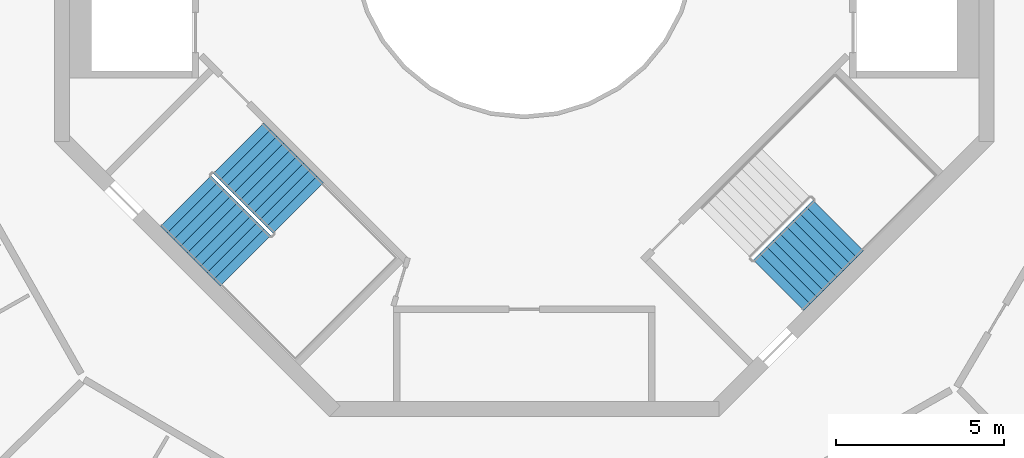
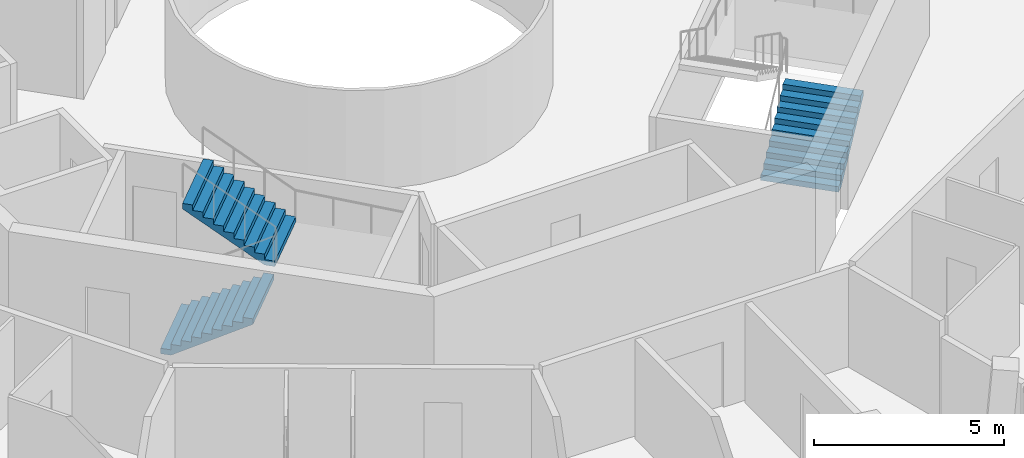
# One storey, part 22 of 24: 3 stair flights, 2 elements without a shape of their own.
"""IFC4 building model written with IfcOpenShell, lengths in metres."""

from ifc_helpers import new_model, si_unit, direction, frame, origin, place, context, subcontext, project, spatial, triangles, material, type_object, element, aggregate, save


model = new_model("IFC4")

# Units and contexts
model_context = context("Model", 3, precision=1e-05, world=origin(), true_north=direction((0.0, 1.0)))
body_context = subcontext(model_context, "Body", "Model", "MODEL_VIEW")
ifc_project = project(units=[si_unit("LENGTHUNIT", "METRE"), si_unit("AREAUNIT", "SQUARE_METRE"), si_unit("VOLUMEUNIT", "CUBIC_METRE"), si_unit("PLANEANGLEUNIT", "RADIAN"), si_unit("MASSUNIT", "GRAM", prefix="KILO")], contexts=[model_context])

# Site, building, storey
site_placement = place(None, origin())
site = spatial("IfcSite", under=ifc_project, at=site_placement, CompositionType="ELEMENT")
building_placement = place(site_placement, origin())
building = spatial("IfcBuilding", under=site, at=building_placement, Name="Verdalira Terraces Hotel", CompositionType="ELEMENT")
storey_placement = place(building_placement, frame((0.0, 0.0, 277.5)))
storey = spatial("IfcBuildingStorey", under=building, at=storey_placement, Name="L68", CompositionType="ELEMENT", Elevation=277.5)

# Stair, stair flights
ifc_material_1 = material(Name="Concrete C40", Category="concrete")
stair_type = type_object("IfcStairType", Name="Core stair 20 risers 2125 mm wide", PredefinedType="HALF_TURN_STAIR", material=ifc_material_1)
stair_1_placement = place(storey_placement, origin())
stair_1 = element("IfcStair", 1, at=stair_1_placement, inside=storey, type_object=stair_type, Name="L68 Exit stair ST2", PredefinedType="HALF_TURN_STAIR")
ifc_material_2 = material(Name="Concrete C40", Category="concrete")
stair_flight_type = type_object("IfcStairFlightType", Name="Core stair flight 20 risers 2125 mm wide", PredefinedType="STRAIGHT", material=ifc_material_2)
stair_flight_1_placement = place(storey_placement, frame((-10.085205, -7.574951, 0.0), z_axis=(0.0, 0.0, 1.0), x_axis=(0.707106781, -0.707106781, 0.0)))
stair_flight_1 = element("IfcStairFlight", 2, at=stair_flight_1_placement, type_object=stair_flight_type, Name="ST2 flight 1", NumberOfRisers=10, NumberOfTreads=9, PredefinedType="STRAIGHT", RiserHeight=0.175, TreadLength=0.28, context=body_context, shape_type="Tessellation", body=[
    triangles([(0.0, 1.0625, 0.0), (0.282715, 1.0625, 0.0), (2.52002, 1.0625, 1.398193), (0.0, -1.0625, 0.0), (0.282715, -1.0625, 0.0), (2.52002, -1.0625, 1.398193), (2.52002, 1.0625, 1.574951), (2.23999, 1.0625, 1.574951), (2.52002, -1.0625, 1.574951), (2.23999, -1.0625, 1.574951), (2.23999, 1.0625, 1.399902), (2.23999, -1.0625, 1.399902), (1.959961, 1.0625, 1.399902), (1.959961, -1.0625, 1.399902), (1.959961, 1.0625, 1.225098), (1.959961, -1.0625, 1.225098), (1.679932, 1.0625, 1.225098), (1.679932, 1.0625, 1.050049), (1.679932, -1.0625, 1.225098), (1.679932, -1.0625, 1.050049), (1.399902, 1.0625, 1.050049), (1.399902, 1.0625, 0.875), (1.399902, -1.0625, 1.050049), (1.399902, -1.0625, 0.875), (1.120117, 1.0625, 0.875), (1.120117, 1.0625, 0.699951), (1.120117, -1.0625, 0.875), (1.120117, -1.0625, 0.699951), (0.840088, 1.0625, 0.699951), (0.840088, 1.0625, 0.524902), (0.840088, -1.0625, 0.699951), (0.840088, -1.0625, 0.524902), (0.560059, 1.0625, 0.524902), (0.560059, 1.0625, 0.350098), (0.560059, -1.0625, 0.524902), (0.560059, -1.0625, 0.350098), (0.280029, 1.0625, 0.350098), (0.280029, 1.0625, 0.175049), (0.280029, -1.0625, 0.350098), (0.280029, -1.0625, 0.175049), (0.0, 1.0625, 0.175049), (0.0, -1.0625, 0.175049), (0.0, -0.996094, 0.0), (0.0, -0.996094, 0.175049), (0.0, -0.929688, 0.0), (0.0, -0.929688, 0.175049), (0.0, -0.863281, 0.0), (0.0, -0.863281, 0.175049), (0.0, -0.796875, 0.0), (0.0, -0.796875, 0.175049), (0.0, -0.730469, 0.0), (0.0, -0.730469, 0.175049), (0.0, -0.664062, 0.0), (0.0, -0.664062, 0.175049), (0.0, -0.597656, 0.0), (0.0, -0.597656, 0.175049), (0.0, -0.53125, 0.0), (0.0, -0.53125, 0.175049), (0.0, -0.464844, 0.0), (0.0, -0.464844, 0.175049), (0.0, -0.398438, 0.0), (0.0, -0.398438, 0.175049), (0.0, -0.332031, 0.0), (0.0, -0.332031, 0.175049), (0.0, -0.265625, 0.0), (0.0, -0.265625, 0.175049), (0.0, -0.199219, 0.0), (0.0, -0.199219, 0.175049), (0.0, -0.132812, 0.0), (0.0, -0.132812, 0.175049), (0.0, -0.066406, 0.0), (0.0, -0.066406, 0.175049), (0.0, 0.0, 0.0), (0.0, 0.0, 0.175049), (0.0, 0.066406, 0.0), (0.0, 0.066406, 0.175049), (0.0, 0.132812, 0.0), (0.0, 0.132812, 0.175049), (0.0, 0.199219, 0.0), (0.0, 0.199219, 0.175049), (0.0, 0.265625, 0.0), (0.0, 0.265625, 0.175049), (0.0, 0.332031, 0.0), (0.0, 0.332031, 0.175049), (0.0, 0.398438, 0.0), (0.0, 0.398438, 0.175049), (0.0, 0.464844, 0.0), (0.0, 0.464844, 0.175049), (0.0, 0.53125, 0.0), (0.0, 0.53125, 0.175049), (0.0, 0.597656, 0.0), (0.0, 0.597656, 0.175049), (0.0, 0.664062, 0.0), (0.0, 0.664062, 0.175049), (0.0, 0.730469, 0.0), (0.0, 0.730469, 0.175049), (0.0, 0.796875, 0.0), (0.0, 0.796875, 0.175049), (0.0, 0.863281, 0.0), (0.0, 0.863281, 0.175049), (0.0, 0.929688, 0.0), (0.0, 0.929688, 0.175049), (0.0, 0.996094, 0.0), (0.0, 0.996094, 0.175049), (2.52002, -0.996094, 1.574951), (2.52002, -0.929688, 1.574951), (2.52002, -0.863281, 1.574951), (2.52002, -0.796875, 1.574951), (2.52002, -0.730469, 1.574951), (2.52002, -0.664062, 1.574951), (2.52002, -0.597656, 1.574951), (2.52002, -0.53125, 1.574951), (2.52002, -0.464844, 1.574951), (2.52002, -0.398438, 1.574951), (2.52002, -0.332031, 1.574951), (2.52002, -0.265625, 1.574951), (2.52002, -0.199219, 1.574951), (2.52002, -0.132812, 1.574951), (2.52002, -0.066406, 1.574951), (2.52002, 0.0, 1.574951), (2.52002, 0.066406, 1.574951), (2.52002, 0.132812, 1.574951), (2.52002, 0.199219, 1.574951), (2.52002, 0.265625, 1.574951), (2.52002, 0.332031, 1.574951), (2.52002, 0.398438, 1.574951), (2.52002, 0.464844, 1.574951), (2.52002, 0.53125, 1.574951), (2.52002, 0.597656, 1.574951), (2.52002, 0.664062, 1.574951), (2.52002, 0.730469, 1.574951), (2.52002, 0.796875, 1.574951), (2.52002, 0.863281, 1.574951), (2.52002, 0.929688, 1.574951), (2.52002, 0.996094, 1.574951), (2.52002, -0.996094, 1.398193), (2.52002, -0.929688, 1.398193), (2.52002, -0.863281, 1.398193), (2.52002, -0.796875, 1.398193), (2.52002, -0.730469, 1.398193), (2.52002, -0.664062, 1.398193), (2.52002, -0.597656, 1.398193), (2.52002, -0.53125, 1.398193), (2.52002, -0.464844, 1.398193), (2.52002, -0.398438, 1.398193), (2.52002, -0.332031, 1.398193), (2.52002, -0.265625, 1.398193), (2.52002, -0.199219, 1.398193), (2.52002, -0.132812, 1.398193), (2.52002, -0.066406, 1.398193), (2.52002, 0.0, 1.398193), (2.52002, 0.066406, 1.398193), (2.52002, 0.132812, 1.398193), (2.52002, 0.199219, 1.398193), (2.52002, 0.265625, 1.398193), (2.52002, 0.332031, 1.398193), (2.52002, 0.398438, 1.398193), (2.52002, 0.464844, 1.398193), (2.52002, 0.53125, 1.398193), (2.52002, 0.597656, 1.398193), (2.52002, 0.664062, 1.398193), (2.52002, 0.730469, 1.398193), (2.52002, 0.796875, 1.398193), (2.52002, 0.863281, 1.398193), (2.52002, 0.929688, 1.398193), (2.52002, 0.996094, 1.398193)], [[1, 3, 2], [4, 5, 6], [3, 8, 7], [6, 9, 10], [3, 11, 8], [6, 10, 12], [3, 13, 11], [6, 12, 14], [3, 15, 13], [6, 14, 16], [15, 18, 17], [16, 19, 20], [3, 18, 15], [6, 16, 20], [18, 22, 21], [20, 23, 24], [3, 22, 18], [6, 20, 24], [22, 26, 25], [24, 27, 28], [3, 26, 22], [6, 24, 28], [26, 30, 29], [28, 31, 32], [3, 30, 26], [6, 28, 32], [1, 30, 3], [4, 6, 32], [30, 34, 33], [32, 35, 36], [34, 38, 37], [36, 39, 40], [30, 38, 34], [32, 36, 40], [1, 38, 30], [4, 32, 40], [38, 1, 41], [40, 42, 4], [4, 44, 43], [4, 42, 44], [43, 46, 45], [43, 44, 46], [45, 48, 47], [45, 46, 48], [47, 50, 49], [47, 48, 50], [49, 52, 51], [49, 50, 52], [51, 54, 53], [51, 52, 54], [53, 56, 55], [53, 54, 56], [55, 58, 57], [55, 56, 58], [57, 60, 59], [57, 58, 60], [59, 62, 61], [59, 60, 62], [61, 64, 63], [61, 62, 64], [63, 66, 65], [63, 64, 66], [65, 68, 67], [65, 66, 68], [67, 70, 69], [67, 68, 70], [69, 72, 71], [69, 70, 72], [71, 74, 73], [71, 72, 74], [73, 76, 75], [73, 74, 76], [75, 78, 77], [75, 76, 78], [77, 80, 79], [77, 78, 80], [79, 82, 81], [79, 80, 82], [81, 84, 83], [81, 82, 84], [83, 86, 85], [83, 84, 86], [85, 88, 87], [85, 86, 88], [87, 90, 89], [87, 88, 90], [89, 92, 91], [89, 90, 92], [91, 94, 93], [91, 92, 94], [93, 96, 95], [93, 94, 96], [95, 98, 97], [95, 96, 98], [97, 100, 99], [97, 98, 100], [99, 102, 101], [99, 100, 102], [101, 104, 103], [101, 102, 104], [103, 41, 1], [103, 104, 41], [42, 40, 44], [44, 40, 46], [46, 40, 48], [48, 40, 50], [50, 40, 52], [52, 40, 54], [54, 40, 56], [56, 40, 58], [58, 40, 60], [60, 40, 62], [62, 40, 64], [64, 40, 66], [66, 40, 68], [68, 40, 70], [70, 40, 72], [72, 40, 74], [74, 40, 76], [76, 40, 78], [78, 40, 80], [80, 40, 82], [82, 40, 84], [84, 40, 86], [86, 40, 88], [88, 40, 90], [90, 40, 92], [92, 40, 94], [94, 40, 96], [96, 40, 98], [98, 40, 100], [100, 40, 102], [102, 40, 104], [104, 40, 41], [41, 40, 38], [40, 37, 38], [40, 39, 37], [39, 34, 37], [39, 36, 34], [36, 33, 34], [36, 35, 33], [35, 30, 33], [35, 32, 30], [32, 29, 30], [32, 31, 29], [31, 26, 29], [31, 28, 26], [28, 25, 26], [28, 27, 25], [27, 22, 25], [27, 24, 22], [24, 21, 22], [24, 23, 21], [23, 18, 21], [23, 20, 18], [20, 17, 18], [20, 19, 17], [19, 15, 17], [19, 16, 15], [16, 13, 15], [16, 14, 13], [14, 11, 13], [14, 12, 11], [12, 8, 11], [12, 10, 8], [9, 105, 10], [105, 106, 10], [106, 107, 10], [107, 108, 10], [108, 109, 10], [109, 110, 10], [110, 111, 10], [111, 112, 10], [112, 113, 10], [113, 114, 10], [114, 115, 10], [115, 116, 10], [116, 117, 10], [117, 118, 10], [118, 119, 10], [119, 120, 10], [120, 121, 10], [121, 122, 10], [122, 123, 10], [123, 124, 10], [124, 125, 10], [125, 126, 10], [126, 127, 10], [127, 128, 10], [128, 129, 10], [129, 130, 10], [130, 131, 10], [131, 132, 10], [132, 133, 10], [133, 134, 10], [134, 135, 10], [135, 7, 10], [7, 8, 10], [9, 136, 105], [9, 6, 136], [105, 137, 106], [105, 136, 137], [106, 138, 107], [106, 137, 138], [107, 139, 108], [107, 138, 139], [108, 140, 109], [108, 139, 140], [109, 141, 110], [109, 140, 141], [110, 142, 111], [110, 141, 142], [111, 143, 112], [111, 142, 143], [112, 144, 113], [112, 143, 144], [113, 145, 114], [113, 144, 145], [114, 146, 115], [114, 145, 146], [115, 147, 116], [115, 146, 147], [116, 148, 117], [116, 147, 148], [117, 149, 118], [117, 148, 149], [118, 150, 119], [118, 149, 150], [119, 151, 120], [119, 150, 151], [120, 152, 121], [120, 151, 152], [121, 153, 122], [121, 152, 153], [122, 154, 123], [122, 153, 154], [123, 155, 124], [123, 154, 155], [124, 156, 125], [124, 155, 156], [125, 157, 126], [125, 156, 157], [126, 158, 127], [126, 157, 158], [127, 159, 128], [127, 158, 159], [128, 160, 129], [128, 159, 160], [129, 161, 130], [129, 160, 161], [130, 162, 131], [130, 161, 162], [131, 163, 132], [131, 162, 163], [132, 164, 133], [132, 163, 164], [133, 165, 134], [133, 164, 165], [134, 166, 135], [134, 165, 166], [135, 3, 7], [135, 166, 3], [6, 5, 136], [136, 5, 137], [137, 5, 138], [138, 5, 139], [139, 5, 140], [140, 5, 141], [141, 5, 142], [142, 5, 143], [143, 5, 144], [144, 5, 145], [145, 5, 146], [146, 5, 147], [147, 5, 148], [148, 5, 149], [149, 5, 150], [150, 5, 151], [151, 5, 152], [152, 5, 153], [153, 5, 154], [154, 5, 155], [155, 5, 156], [156, 5, 157], [157, 5, 158], [158, 5, 159], [159, 5, 160], [160, 5, 161], [161, 5, 162], [162, 5, 163], [163, 5, 164], [164, 5, 165], [165, 5, 166], [166, 5, 3], [3, 5, 2], [4, 43, 5], [43, 45, 5], [45, 47, 5], [47, 49, 5], [49, 51, 5], [51, 53, 5], [53, 55, 5], [55, 57, 5], [57, 59, 5], [59, 61, 5], [61, 63, 5], [63, 65, 5], [65, 67, 5], [67, 69, 5], [69, 71, 5], [71, 73, 5], [73, 75, 5], [75, 77, 5], [77, 79, 5], [79, 81, 5], [81, 83, 5], [83, 85, 5], [85, 87, 5], [87, 89, 5], [89, 91, 5], [91, 93, 5], [93, 95, 5], [95, 97, 5], [97, 99, 5], [99, 101, 5], [101, 103, 5], [103, 1, 5], [1, 2, 5]], closed=True),
])
stair_flight_2_placement = place(storey_placement, frame((-6.72998, -7.783447, 1.75), z_axis=(0.0, 0.0, 1.0), x_axis=(-0.707106781, 0.707106781, 0.0)))
stair_flight_2 = element("IfcStairFlight", 3, at=stair_flight_2_placement, type_object=stair_flight_type, Name="ST2 flight 2", NumberOfRisers=10, NumberOfTreads=9, PredefinedType="STRAIGHT", RiserHeight=0.175, TreadLength=0.28, context=body_context, shape_type="Tessellation", body=[
    triangles([(0.0, 1.0625, 0.0), (0.282715, 1.0625, 0.0), (2.52002, 1.0625, 1.398193), (0.0, -1.0625, 0.0), (0.282715, -1.0625, 0.0), (2.52002, -1.0625, 1.398193), (2.52002, 1.0625, 1.574951), (2.23999, 1.0625, 1.574951), (2.52002, -1.0625, 1.574951), (2.23999, -1.0625, 1.574951), (2.23999, 1.0625, 1.399902), (2.23999, -1.0625, 1.399902), (1.959961, 1.0625, 1.399902), (1.959961, -1.0625, 1.399902), (1.959961, 1.0625, 1.225098), (1.959961, -1.0625, 1.225098), (1.679932, 1.0625, 1.225098), (1.679932, 1.0625, 1.050049), (1.679932, -1.0625, 1.225098), (1.679932, -1.0625, 1.050049), (1.399902, 1.0625, 1.050049), (1.399902, 1.0625, 0.875), (1.399902, -1.0625, 1.050049), (1.399902, -1.0625, 0.875), (1.120117, 1.0625, 0.875), (1.120117, 1.0625, 0.699951), (1.120117, -1.0625, 0.875), (1.120117, -1.0625, 0.699951), (0.840088, 1.0625, 0.699951), (0.840088, 1.0625, 0.524902), (0.840088, -1.0625, 0.699951), (0.840088, -1.0625, 0.524902), (0.560059, 1.0625, 0.524902), (0.560059, 1.0625, 0.350098), (0.560059, -1.0625, 0.524902), (0.560059, -1.0625, 0.350098), (0.280029, 1.0625, 0.350098), (0.280029, 1.0625, 0.175049), (0.280029, -1.0625, 0.350098), (0.280029, -1.0625, 0.175049), (0.0, 1.0625, 0.175049), (0.0, -1.0625, 0.175049), (0.0, -0.996094, 0.0), (0.0, -0.996094, 0.175049), (0.0, -0.929688, 0.0), (0.0, -0.929688, 0.175049), (0.0, -0.863281, 0.0), (0.0, -0.863281, 0.175049), (0.0, -0.796875, 0.0), (0.0, -0.796875, 0.175049), (0.0, -0.730469, 0.0), (0.0, -0.730469, 0.175049), (0.0, -0.664062, 0.0), (0.0, -0.664062, 0.175049), (0.0, -0.597656, 0.0), (0.0, -0.597656, 0.175049), (0.0, -0.53125, 0.0), (0.0, -0.53125, 0.175049), (0.0, -0.464844, 0.0), (0.0, -0.464844, 0.175049), (0.0, -0.398438, 0.0), (0.0, -0.398438, 0.175049), (0.0, -0.332031, 0.0), (0.0, -0.332031, 0.175049), (0.0, -0.265625, 0.0), (0.0, -0.265625, 0.175049), (0.0, -0.199219, 0.0), (0.0, -0.199219, 0.175049), (0.0, -0.132812, 0.0), (0.0, -0.132812, 0.175049), (0.0, -0.066406, 0.0), (0.0, -0.066406, 0.175049), (0.0, 0.0, 0.0), (0.0, 0.0, 0.175049), (0.0, 0.066406, 0.0), (0.0, 0.066406, 0.175049), (0.0, 0.132812, 0.0), (0.0, 0.132812, 0.175049), (0.0, 0.199219, 0.0), (0.0, 0.199219, 0.175049), (0.0, 0.265625, 0.0), (0.0, 0.265625, 0.175049), (0.0, 0.332031, 0.0), (0.0, 0.332031, 0.175049), (0.0, 0.398438, 0.0), (0.0, 0.398438, 0.175049), (0.0, 0.464844, 0.0), (0.0, 0.464844, 0.175049), (0.0, 0.53125, 0.0), (0.0, 0.53125, 0.175049), (0.0, 0.597656, 0.0), (0.0, 0.597656, 0.175049), (0.0, 0.664062, 0.0), (0.0, 0.664062, 0.175049), (0.0, 0.730469, 0.0), (0.0, 0.730469, 0.175049), (0.0, 0.796875, 0.0), (0.0, 0.796875, 0.175049), (0.0, 0.863281, 0.0), (0.0, 0.863281, 0.175049), (0.0, 0.929688, 0.0), (0.0, 0.929688, 0.175049), (0.0, 0.996094, 0.0), (0.0, 0.996094, 0.175049), (2.52002, -0.996094, 1.574951), (2.52002, -0.929688, 1.574951), (2.52002, -0.863281, 1.574951), (2.52002, -0.796875, 1.574951), (2.52002, -0.730469, 1.574951), (2.52002, -0.664062, 1.574951), (2.52002, -0.597656, 1.574951), (2.52002, -0.53125, 1.574951), (2.52002, -0.464844, 1.574951), (2.52002, -0.398438, 1.574951), (2.52002, -0.332031, 1.574951), (2.52002, -0.265625, 1.574951), (2.52002, -0.199219, 1.574951), (2.52002, -0.132812, 1.574951), (2.52002, -0.066406, 1.574951), (2.52002, 0.0, 1.574951), (2.52002, 0.066406, 1.574951), (2.52002, 0.132812, 1.574951), (2.52002, 0.199219, 1.574951), (2.52002, 0.265625, 1.574951), (2.52002, 0.332031, 1.574951), (2.52002, 0.398438, 1.574951), (2.52002, 0.464844, 1.574951), (2.52002, 0.53125, 1.574951), (2.52002, 0.597656, 1.574951), (2.52002, 0.664062, 1.574951), (2.52002, 0.730469, 1.574951), (2.52002, 0.796875, 1.574951), (2.52002, 0.863281, 1.574951), (2.52002, 0.929688, 1.574951), (2.52002, 0.996094, 1.574951), (2.52002, -0.996094, 1.398193), (2.52002, -0.929688, 1.398193), (2.52002, -0.863281, 1.398193), (2.52002, -0.796875, 1.398193), (2.52002, -0.730469, 1.398193), (2.52002, -0.664062, 1.398193), (2.52002, -0.597656, 1.398193), (2.52002, -0.53125, 1.398193), (2.52002, -0.464844, 1.398193), (2.52002, -0.398438, 1.398193), (2.52002, -0.332031, 1.398193), (2.52002, -0.265625, 1.398193), (2.52002, -0.199219, 1.398193), (2.52002, -0.132812, 1.398193), (2.52002, -0.066406, 1.398193), (2.52002, 0.0, 1.398193), (2.52002, 0.066406, 1.398193), (2.52002, 0.132812, 1.398193), (2.52002, 0.199219, 1.398193), (2.52002, 0.265625, 1.398193), (2.52002, 0.332031, 1.398193), (2.52002, 0.398438, 1.398193), (2.52002, 0.464844, 1.398193), (2.52002, 0.53125, 1.398193), (2.52002, 0.597656, 1.398193), (2.52002, 0.664062, 1.398193), (2.52002, 0.730469, 1.398193), (2.52002, 0.796875, 1.398193), (2.52002, 0.863281, 1.398193), (2.52002, 0.929688, 1.398193), (2.52002, 0.996094, 1.398193)], [[1, 3, 2], [4, 5, 6], [3, 8, 7], [6, 9, 10], [3, 11, 8], [6, 10, 12], [3, 13, 11], [6, 12, 14], [3, 15, 13], [6, 14, 16], [15, 18, 17], [16, 19, 20], [3, 18, 15], [6, 16, 20], [18, 22, 21], [20, 23, 24], [3, 22, 18], [6, 20, 24], [22, 26, 25], [24, 27, 28], [3, 26, 22], [6, 24, 28], [26, 30, 29], [28, 31, 32], [3, 30, 26], [6, 28, 32], [1, 30, 3], [4, 6, 32], [30, 34, 33], [32, 35, 36], [34, 38, 37], [36, 39, 40], [30, 38, 34], [32, 36, 40], [1, 38, 30], [4, 32, 40], [38, 1, 41], [40, 42, 4], [4, 44, 43], [4, 42, 44], [43, 46, 45], [43, 44, 46], [45, 48, 47], [45, 46, 48], [47, 50, 49], [47, 48, 50], [49, 52, 51], [49, 50, 52], [51, 54, 53], [51, 52, 54], [53, 56, 55], [53, 54, 56], [55, 58, 57], [55, 56, 58], [57, 60, 59], [57, 58, 60], [59, 62, 61], [59, 60, 62], [61, 64, 63], [61, 62, 64], [63, 66, 65], [63, 64, 66], [65, 68, 67], [65, 66, 68], [67, 70, 69], [67, 68, 70], [69, 72, 71], [69, 70, 72], [71, 74, 73], [71, 72, 74], [73, 76, 75], [73, 74, 76], [75, 78, 77], [75, 76, 78], [77, 80, 79], [77, 78, 80], [79, 82, 81], [79, 80, 82], [81, 84, 83], [81, 82, 84], [83, 86, 85], [83, 84, 86], [85, 88, 87], [85, 86, 88], [87, 90, 89], [87, 88, 90], [89, 92, 91], [89, 90, 92], [91, 94, 93], [91, 92, 94], [93, 96, 95], [93, 94, 96], [95, 98, 97], [95, 96, 98], [97, 100, 99], [97, 98, 100], [99, 102, 101], [99, 100, 102], [101, 104, 103], [101, 102, 104], [103, 41, 1], [103, 104, 41], [42, 40, 44], [44, 40, 46], [46, 40, 48], [48, 40, 50], [50, 40, 52], [52, 40, 54], [54, 40, 56], [56, 40, 58], [58, 40, 60], [60, 40, 62], [62, 40, 64], [64, 40, 66], [66, 40, 68], [68, 40, 70], [70, 40, 72], [72, 40, 74], [74, 40, 76], [76, 40, 78], [78, 40, 80], [80, 40, 82], [82, 40, 84], [84, 40, 86], [86, 40, 88], [88, 40, 90], [90, 40, 92], [92, 40, 94], [94, 40, 96], [96, 40, 98], [98, 40, 100], [100, 40, 102], [102, 40, 104], [104, 40, 41], [41, 40, 38], [40, 37, 38], [40, 39, 37], [39, 34, 37], [39, 36, 34], [36, 33, 34], [36, 35, 33], [35, 30, 33], [35, 32, 30], [32, 29, 30], [32, 31, 29], [31, 26, 29], [31, 28, 26], [28, 25, 26], [28, 27, 25], [27, 22, 25], [27, 24, 22], [24, 21, 22], [24, 23, 21], [23, 18, 21], [23, 20, 18], [20, 17, 18], [20, 19, 17], [19, 15, 17], [19, 16, 15], [16, 13, 15], [16, 14, 13], [14, 11, 13], [14, 12, 11], [12, 8, 11], [12, 10, 8], [9, 105, 10], [105, 106, 10], [106, 107, 10], [107, 108, 10], [108, 109, 10], [109, 110, 10], [110, 111, 10], [111, 112, 10], [112, 113, 10], [113, 114, 10], [114, 115, 10], [115, 116, 10], [116, 117, 10], [117, 118, 10], [118, 119, 10], [119, 120, 10], [120, 121, 10], [121, 122, 10], [122, 123, 10], [123, 124, 10], [124, 125, 10], [125, 126, 10], [126, 127, 10], [127, 128, 10], [128, 129, 10], [129, 130, 10], [130, 131, 10], [131, 132, 10], [132, 133, 10], [133, 134, 10], [134, 135, 10], [135, 7, 10], [7, 8, 10], [9, 136, 105], [9, 6, 136], [105, 137, 106], [105, 136, 137], [106, 138, 107], [106, 137, 138], [107, 139, 108], [107, 138, 139], [108, 140, 109], [108, 139, 140], [109, 141, 110], [109, 140, 141], [110, 142, 111], [110, 141, 142], [111, 143, 112], [111, 142, 143], [112, 144, 113], [112, 143, 144], [113, 145, 114], [113, 144, 145], [114, 146, 115], [114, 145, 146], [115, 147, 116], [115, 146, 147], [116, 148, 117], [116, 147, 148], [117, 149, 118], [117, 148, 149], [118, 150, 119], [118, 149, 150], [119, 151, 120], [119, 150, 151], [120, 152, 121], [120, 151, 152], [121, 153, 122], [121, 152, 153], [122, 154, 123], [122, 153, 154], [123, 155, 124], [123, 154, 155], [124, 156, 125], [124, 155, 156], [125, 157, 126], [125, 156, 157], [126, 158, 127], [126, 157, 158], [127, 159, 128], [127, 158, 159], [128, 160, 129], [128, 159, 160], [129, 161, 130], [129, 160, 161], [130, 162, 131], [130, 161, 162], [131, 163, 132], [131, 162, 163], [132, 164, 133], [132, 163, 164], [133, 165, 134], [133, 164, 165], [134, 166, 135], [134, 165, 166], [135, 3, 7], [135, 166, 3], [6, 5, 136], [136, 5, 137], [137, 5, 138], [138, 5, 139], [139, 5, 140], [140, 5, 141], [141, 5, 142], [142, 5, 143], [143, 5, 144], [144, 5, 145], [145, 5, 146], [146, 5, 147], [147, 5, 148], [148, 5, 149], [149, 5, 150], [150, 5, 151], [151, 5, 152], [152, 5, 153], [153, 5, 154], [154, 5, 155], [155, 5, 156], [156, 5, 157], [157, 5, 158], [158, 5, 159], [159, 5, 160], [160, 5, 161], [161, 5, 162], [162, 5, 163], [163, 5, 164], [164, 5, 165], [165, 5, 166], [166, 5, 3], [3, 5, 2], [4, 43, 5], [43, 45, 5], [45, 47, 5], [47, 49, 5], [49, 51, 5], [51, 53, 5], [53, 55, 5], [55, 57, 5], [57, 59, 5], [59, 61, 5], [61, 63, 5], [63, 65, 5], [65, 67, 5], [67, 69, 5], [69, 71, 5], [71, 73, 5], [73, 75, 5], [75, 77, 5], [77, 79, 5], [79, 81, 5], [81, 83, 5], [83, 85, 5], [85, 87, 5], [87, 89, 5], [89, 91, 5], [91, 93, 5], [93, 95, 5], [95, 97, 5], [97, 99, 5], [99, 101, 5], [101, 103, 5], [103, 1, 5], [1, 2, 5]], closed=True),
])
aggregate(stair_1, [stair_flight_1, stair_flight_2])

# Stair, stair flight
stair_2_placement = place(storey_placement, origin())
stair_2 = element("IfcStair", 4, at=stair_2_placement, inside=storey, type_object=stair_type, Name="L68 Exit stair ST3", PredefinedType="HALF_TURN_STAIR")
stair_flight_3_placement = place(storey_placement, frame((7.574951, -10.085205, 0.0), z_axis=(0.0, 0.0, 1.0), x_axis=(0.707106781, 0.707106781, 0.0)))
stair_flight_3 = element("IfcStairFlight", 5, at=stair_flight_3_placement, type_object=stair_flight_type, Name="ST3 flight 1", NumberOfRisers=10, NumberOfTreads=9, PredefinedType="STRAIGHT", RiserHeight=0.175, TreadLength=0.28, context=body_context, shape_type="Tessellation", body=[
    triangles([(0.0, 1.0625, 0.0), (0.282715, 1.0625, 0.0), (2.52002, 1.0625, 1.398193), (0.0, -1.0625, 0.0), (0.282715, -1.0625, 0.0), (2.52002, -1.0625, 1.398193), (2.52002, 1.0625, 1.574951), (2.23999, 1.0625, 1.574951), (2.52002, -1.0625, 1.574951), (2.23999, -1.0625, 1.574951), (2.23999, 1.0625, 1.399902), (2.23999, -1.0625, 1.399902), (1.959961, 1.0625, 1.399902), (1.959961, -1.0625, 1.399902), (1.959961, 1.0625, 1.225098), (1.959961, -1.0625, 1.225098), (1.679932, 1.0625, 1.225098), (1.679932, 1.0625, 1.050049), (1.679932, -1.0625, 1.225098), (1.679932, -1.0625, 1.050049), (1.399902, 1.0625, 1.050049), (1.399902, 1.0625, 0.875), (1.399902, -1.0625, 1.050049), (1.399902, -1.0625, 0.875), (1.120117, 1.0625, 0.875), (1.120117, 1.0625, 0.699951), (1.120117, -1.0625, 0.875), (1.120117, -1.0625, 0.699951), (0.840088, 1.0625, 0.699951), (0.840088, 1.0625, 0.524902), (0.840088, -1.0625, 0.699951), (0.840088, -1.0625, 0.524902), (0.560059, 1.0625, 0.524902), (0.560059, 1.0625, 0.350098), (0.560059, -1.0625, 0.524902), (0.560059, -1.0625, 0.350098), (0.280029, 1.0625, 0.350098), (0.280029, 1.0625, 0.175049), (0.280029, -1.0625, 0.350098), (0.280029, -1.0625, 0.175049), (0.0, 1.0625, 0.175049), (0.0, -1.0625, 0.175049), (0.0, -0.996094, 0.0), (0.0, -0.996094, 0.175049), (0.0, -0.929688, 0.0), (0.0, -0.929688, 0.175049), (0.0, -0.863281, 0.0), (0.0, -0.863281, 0.175049), (0.0, -0.796875, 0.0), (0.0, -0.796875, 0.175049), (0.0, -0.730469, 0.0), (0.0, -0.730469, 0.175049), (0.0, -0.664062, 0.0), (0.0, -0.664062, 0.175049), (0.0, -0.597656, 0.0), (0.0, -0.597656, 0.175049), (0.0, -0.53125, 0.0), (0.0, -0.53125, 0.175049), (0.0, -0.464844, 0.0), (0.0, -0.464844, 0.175049), (0.0, -0.398438, 0.0), (0.0, -0.398438, 0.175049), (0.0, -0.332031, 0.0), (0.0, -0.332031, 0.175049), (0.0, -0.265625, 0.0), (0.0, -0.265625, 0.175049), (0.0, -0.199219, 0.0), (0.0, -0.199219, 0.175049), (0.0, -0.132812, 0.0), (0.0, -0.132812, 0.175049), (0.0, -0.066406, 0.0), (0.0, -0.066406, 0.175049), (0.0, 0.0, 0.0), (0.0, 0.0, 0.175049), (0.0, 0.066406, 0.0), (0.0, 0.066406, 0.175049), (0.0, 0.132812, 0.0), (0.0, 0.132812, 0.175049), (0.0, 0.199219, 0.0), (0.0, 0.199219, 0.175049), (0.0, 0.265625, 0.0), (0.0, 0.265625, 0.175049), (0.0, 0.332031, 0.0), (0.0, 0.332031, 0.175049), (0.0, 0.398438, 0.0), (0.0, 0.398438, 0.175049), (0.0, 0.464844, 0.0), (0.0, 0.464844, 0.175049), (0.0, 0.53125, 0.0), (0.0, 0.53125, 0.175049), (0.0, 0.597656, 0.0), (0.0, 0.597656, 0.175049), (0.0, 0.664062, 0.0), (0.0, 0.664062, 0.175049), (0.0, 0.730469, 0.0), (0.0, 0.730469, 0.175049), (0.0, 0.796875, 0.0), (0.0, 0.796875, 0.175049), (0.0, 0.863281, 0.0), (0.0, 0.863281, 0.175049), (0.0, 0.929688, 0.0), (0.0, 0.929688, 0.175049), (0.0, 0.996094, 0.0), (0.0, 0.996094, 0.175049), (2.52002, -0.996094, 1.574951), (2.52002, -0.929688, 1.574951), (2.52002, -0.863281, 1.574951), (2.52002, -0.796875, 1.574951), (2.52002, -0.730469, 1.574951), (2.52002, -0.664062, 1.574951), (2.52002, -0.597656, 1.574951), (2.52002, -0.53125, 1.574951), (2.52002, -0.464844, 1.574951), (2.52002, -0.398438, 1.574951), (2.52002, -0.332031, 1.574951), (2.52002, -0.265625, 1.574951), (2.52002, -0.199219, 1.574951), (2.52002, -0.132812, 1.574951), (2.52002, -0.066406, 1.574951), (2.52002, 0.0, 1.574951), (2.52002, 0.066406, 1.574951), (2.52002, 0.132812, 1.574951), (2.52002, 0.199219, 1.574951), (2.52002, 0.265625, 1.574951), (2.52002, 0.332031, 1.574951), (2.52002, 0.398438, 1.574951), (2.52002, 0.464844, 1.574951), (2.52002, 0.53125, 1.574951), (2.52002, 0.597656, 1.574951), (2.52002, 0.664062, 1.574951), (2.52002, 0.730469, 1.574951), (2.52002, 0.796875, 1.574951), (2.52002, 0.863281, 1.574951), (2.52002, 0.929688, 1.574951), (2.52002, 0.996094, 1.574951), (2.52002, -0.996094, 1.398193), (2.52002, -0.929688, 1.398193), (2.52002, -0.863281, 1.398193), (2.52002, -0.796875, 1.398193), (2.52002, -0.730469, 1.398193), (2.52002, -0.664062, 1.398193), (2.52002, -0.597656, 1.398193), (2.52002, -0.53125, 1.398193), (2.52002, -0.464844, 1.398193), (2.52002, -0.398438, 1.398193), (2.52002, -0.332031, 1.398193), (2.52002, -0.265625, 1.398193), (2.52002, -0.199219, 1.398193), (2.52002, -0.132812, 1.398193), (2.52002, -0.066406, 1.398193), (2.52002, 0.0, 1.398193), (2.52002, 0.066406, 1.398193), (2.52002, 0.132812, 1.398193), (2.52002, 0.199219, 1.398193), (2.52002, 0.265625, 1.398193), (2.52002, 0.332031, 1.398193), (2.52002, 0.398438, 1.398193), (2.52002, 0.464844, 1.398193), (2.52002, 0.53125, 1.398193), (2.52002, 0.597656, 1.398193), (2.52002, 0.664062, 1.398193), (2.52002, 0.730469, 1.398193), (2.52002, 0.796875, 1.398193), (2.52002, 0.863281, 1.398193), (2.52002, 0.929688, 1.398193), (2.52002, 0.996094, 1.398193)], [[1, 3, 2], [4, 5, 6], [3, 8, 7], [6, 9, 10], [3, 11, 8], [6, 10, 12], [3, 13, 11], [6, 12, 14], [3, 15, 13], [6, 14, 16], [15, 18, 17], [16, 19, 20], [3, 18, 15], [6, 16, 20], [18, 22, 21], [20, 23, 24], [3, 22, 18], [6, 20, 24], [22, 26, 25], [24, 27, 28], [3, 26, 22], [6, 24, 28], [26, 30, 29], [28, 31, 32], [3, 30, 26], [6, 28, 32], [1, 30, 3], [4, 6, 32], [30, 34, 33], [32, 35, 36], [34, 38, 37], [36, 39, 40], [30, 38, 34], [32, 36, 40], [1, 38, 30], [4, 32, 40], [38, 1, 41], [40, 42, 4], [4, 44, 43], [4, 42, 44], [43, 46, 45], [43, 44, 46], [45, 48, 47], [45, 46, 48], [47, 50, 49], [47, 48, 50], [49, 52, 51], [49, 50, 52], [51, 54, 53], [51, 52, 54], [53, 56, 55], [53, 54, 56], [55, 58, 57], [55, 56, 58], [57, 60, 59], [57, 58, 60], [59, 62, 61], [59, 60, 62], [61, 64, 63], [61, 62, 64], [63, 66, 65], [63, 64, 66], [65, 68, 67], [65, 66, 68], [67, 70, 69], [67, 68, 70], [69, 72, 71], [69, 70, 72], [71, 74, 73], [71, 72, 74], [73, 76, 75], [73, 74, 76], [75, 78, 77], [75, 76, 78], [77, 80, 79], [77, 78, 80], [79, 82, 81], [79, 80, 82], [81, 84, 83], [81, 82, 84], [83, 86, 85], [83, 84, 86], [85, 88, 87], [85, 86, 88], [87, 90, 89], [87, 88, 90], [89, 92, 91], [89, 90, 92], [91, 94, 93], [91, 92, 94], [93, 96, 95], [93, 94, 96], [95, 98, 97], [95, 96, 98], [97, 100, 99], [97, 98, 100], [99, 102, 101], [99, 100, 102], [101, 104, 103], [101, 102, 104], [103, 41, 1], [103, 104, 41], [42, 40, 44], [44, 40, 46], [46, 40, 48], [48, 40, 50], [50, 40, 52], [52, 40, 54], [54, 40, 56], [56, 40, 58], [58, 40, 60], [60, 40, 62], [62, 40, 64], [64, 40, 66], [66, 40, 68], [68, 40, 70], [70, 40, 72], [72, 40, 74], [74, 40, 76], [76, 40, 78], [78, 40, 80], [80, 40, 82], [82, 40, 84], [84, 40, 86], [86, 40, 88], [88, 40, 90], [90, 40, 92], [92, 40, 94], [94, 40, 96], [96, 40, 98], [98, 40, 100], [100, 40, 102], [102, 40, 104], [104, 40, 41], [41, 40, 38], [40, 37, 38], [40, 39, 37], [39, 34, 37], [39, 36, 34], [36, 33, 34], [36, 35, 33], [35, 30, 33], [35, 32, 30], [32, 29, 30], [32, 31, 29], [31, 26, 29], [31, 28, 26], [28, 25, 26], [28, 27, 25], [27, 22, 25], [27, 24, 22], [24, 21, 22], [24, 23, 21], [23, 18, 21], [23, 20, 18], [20, 17, 18], [20, 19, 17], [19, 15, 17], [19, 16, 15], [16, 13, 15], [16, 14, 13], [14, 11, 13], [14, 12, 11], [12, 8, 11], [12, 10, 8], [9, 105, 10], [105, 106, 10], [106, 107, 10], [107, 108, 10], [108, 109, 10], [109, 110, 10], [110, 111, 10], [111, 112, 10], [112, 113, 10], [113, 114, 10], [114, 115, 10], [115, 116, 10], [116, 117, 10], [117, 118, 10], [118, 119, 10], [119, 120, 10], [120, 121, 10], [121, 122, 10], [122, 123, 10], [123, 124, 10], [124, 125, 10], [125, 126, 10], [126, 127, 10], [127, 128, 10], [128, 129, 10], [129, 130, 10], [130, 131, 10], [131, 132, 10], [132, 133, 10], [133, 134, 10], [134, 135, 10], [135, 7, 10], [7, 8, 10], [9, 136, 105], [9, 6, 136], [105, 137, 106], [105, 136, 137], [106, 138, 107], [106, 137, 138], [107, 139, 108], [107, 138, 139], [108, 140, 109], [108, 139, 140], [109, 141, 110], [109, 140, 141], [110, 142, 111], [110, 141, 142], [111, 143, 112], [111, 142, 143], [112, 144, 113], [112, 143, 144], [113, 145, 114], [113, 144, 145], [114, 146, 115], [114, 145, 146], [115, 147, 116], [115, 146, 147], [116, 148, 117], [116, 147, 148], [117, 149, 118], [117, 148, 149], [118, 150, 119], [118, 149, 150], [119, 151, 120], [119, 150, 151], [120, 152, 121], [120, 151, 152], [121, 153, 122], [121, 152, 153], [122, 154, 123], [122, 153, 154], [123, 155, 124], [123, 154, 155], [124, 156, 125], [124, 155, 156], [125, 157, 126], [125, 156, 157], [126, 158, 127], [126, 157, 158], [127, 159, 128], [127, 158, 159], [128, 160, 129], [128, 159, 160], [129, 161, 130], [129, 160, 161], [130, 162, 131], [130, 161, 162], [131, 163, 132], [131, 162, 163], [132, 164, 133], [132, 163, 164], [133, 165, 134], [133, 164, 165], [134, 166, 135], [134, 165, 166], [135, 3, 7], [135, 166, 3], [6, 5, 136], [136, 5, 137], [137, 5, 138], [138, 5, 139], [139, 5, 140], [140, 5, 141], [141, 5, 142], [142, 5, 143], [143, 5, 144], [144, 5, 145], [145, 5, 146], [146, 5, 147], [147, 5, 148], [148, 5, 149], [149, 5, 150], [150, 5, 151], [151, 5, 152], [152, 5, 153], [153, 5, 154], [154, 5, 155], [155, 5, 156], [156, 5, 157], [157, 5, 158], [158, 5, 159], [159, 5, 160], [160, 5, 161], [161, 5, 162], [162, 5, 163], [163, 5, 164], [164, 5, 165], [165, 5, 166], [166, 5, 3], [3, 5, 2], [4, 43, 5], [43, 45, 5], [45, 47, 5], [47, 49, 5], [49, 51, 5], [51, 53, 5], [53, 55, 5], [55, 57, 5], [57, 59, 5], [59, 61, 5], [61, 63, 5], [63, 65, 5], [65, 67, 5], [67, 69, 5], [69, 71, 5], [71, 73, 5], [73, 75, 5], [75, 77, 5], [77, 79, 5], [79, 81, 5], [81, 83, 5], [83, 85, 5], [85, 87, 5], [87, 89, 5], [89, 91, 5], [91, 93, 5], [93, 95, 5], [95, 97, 5], [97, 99, 5], [99, 101, 5], [101, 103, 5], [103, 1, 5], [1, 2, 5]], closed=True),
])
aggregate(stair_2, [stair_flight_3])

save(model, "model.ifc")
